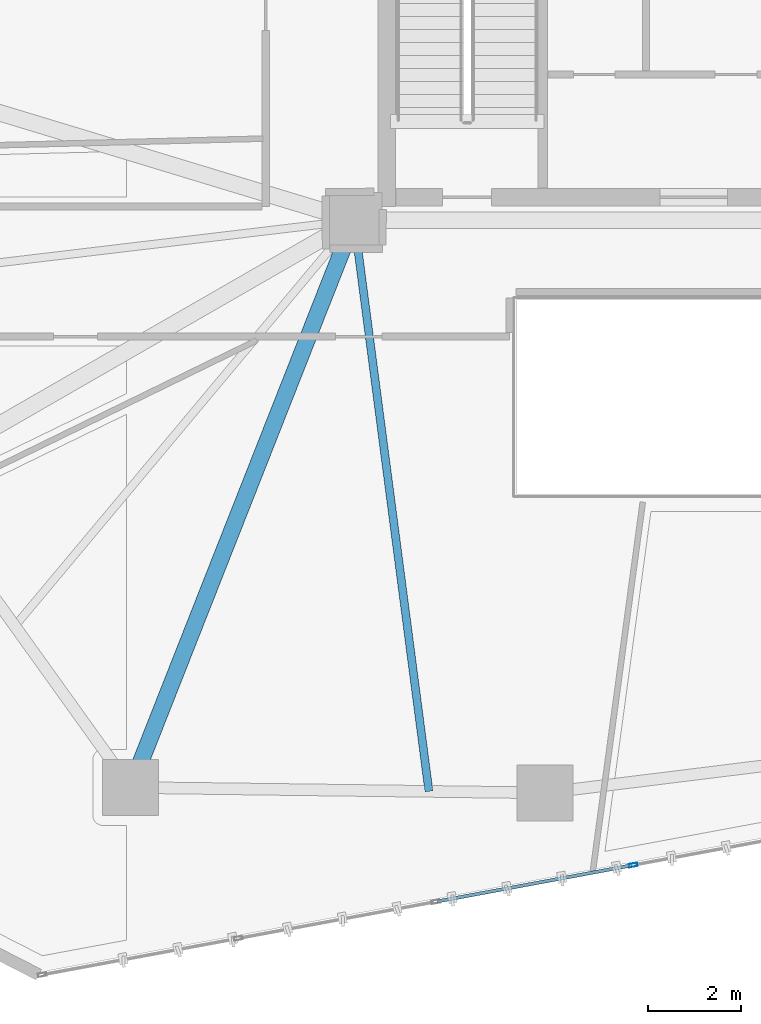
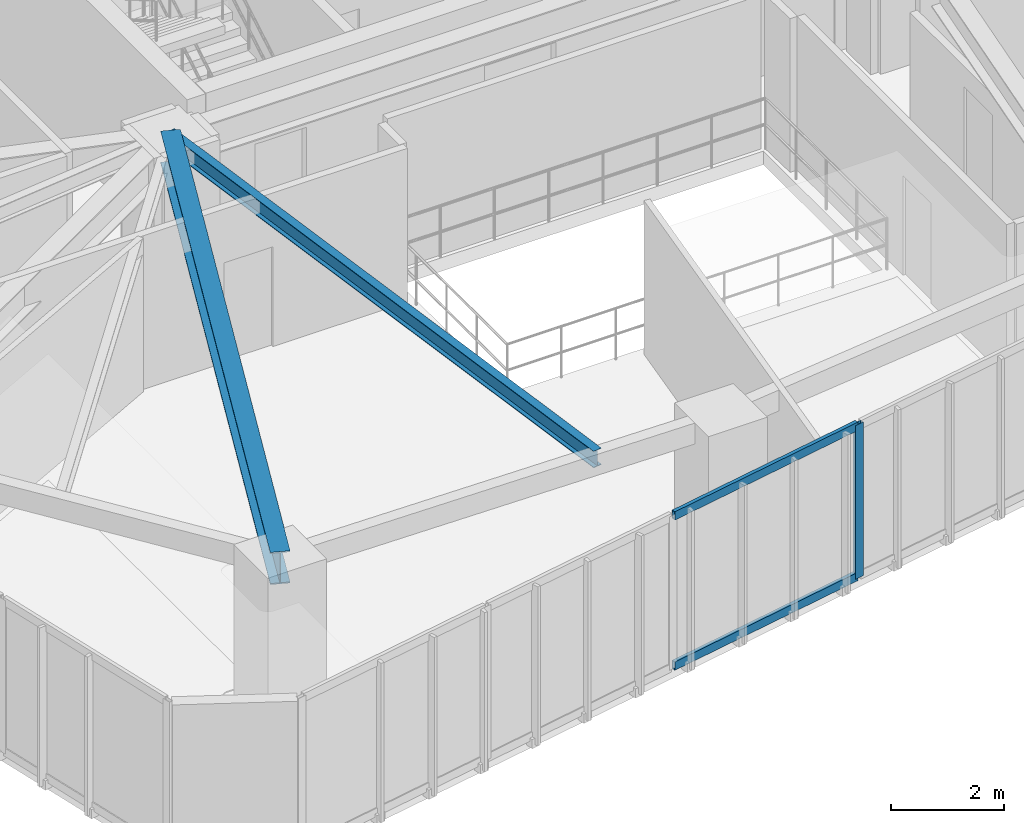
# One storey, part 5 of 22: 3 members, 2 beams, 1 element without a shape of its own.
"""IFC4 building model written with IfcOpenShell, lengths in metres."""

from ifc_helpers import new_model, si_unit, direction, frame, origin, origin_2d, place, context, subcontext, project, spatial, hollow_rectangle, i_section, extrude, source, transform, mapped, material, layer, layer_set, material_profile, profile_set, type_object, type_shapes, element, aggregate, save


model = new_model("IFC4")

# Units and contexts
model_context = context("Model", 3, precision=1e-05, world=origin(), true_north=direction((0.0, 1.0)))
body_context = subcontext(model_context, "Body", "Model", "MODEL_VIEW")
ifc_project = project(units=[si_unit("LENGTHUNIT", "METRE"), si_unit("AREAUNIT", "SQUARE_METRE"), si_unit("VOLUMEUNIT", "CUBIC_METRE"), si_unit("PLANEANGLEUNIT", "RADIAN"), si_unit("MASSUNIT", "GRAM", prefix="KILO")], contexts=[model_context])

# Site, building, storey
site_placement = place(None, origin())
site = spatial("IfcSite", under=ifc_project, at=site_placement, CompositionType="ELEMENT")
building_placement = place(site_placement, origin())
building = spatial("IfcBuilding", under=site, at=building_placement, Name="Talar Marvaseh", CompositionType="ELEMENT")
storey_placement = place(building_placement, frame((0.0, 0.0, 121.800048828125)))
storey = spatial("IfcBuildingStorey", under=building, at=storey_placement, Name="L31", CompositionType="ELEMENT", Elevation=121.800048828125)

# Beams
ifc_material_1 = material(Name="Steel S355", Category="steel")
ifc_material_profile_1 = material_profile(ifc_material_1, i_section(OverallWidth=0.35498046875, OverallDepth=0.695068359375, WebThickness=0.015380859375, FlangeThickness=0.02490234375, at=origin_2d()), Name="W690x217")
ifc_profile_set_1 = profile_set([ifc_material_profile_1], Name="Steel S355")
beam_type_1 = type_object("IfcBeamType", Name="Zone 2 Radial Floor Girder W690x217", PredefinedType="BEAM", material=ifc_profile_set_1)
beam_1_placement = place(storey_placement, frame((13.89111328125, 13.299072265625, 2.96240234375), z_axis=(0.366683712786, 0.930345664136, 0.0), x_axis=(-0.930345664136, 0.366683712786, 0.0)))
element("IfcBeam", 1, at=beam_1_placement, inside=storey, type_object=beam_type_1, Name="L31 Zone 2 Radial Floor Girder W690x217", PredefinedType="BEAM", context=body_context, shape_type="SweptSolid", body=[
    extrude(i_section(OverallWidth=0.35498046875, OverallDepth=0.695068359375, WebThickness=0.015380859375, FlangeThickness=0.02490234375, at=origin_2d()), origin(), (0.0, 0.0, 1.0), 13.114501953125),
])
ifc_material_profile_2 = material_profile(ifc_material_1, i_section(OverallWidth=0.172119140625, OverallDepth=0.35791015625, WebThickness=0.0078125, FlangeThickness=0.01318359375, at=origin_2d()), Name="W360x57")
ifc_profile_set_2 = profile_set([ifc_material_profile_2], Name="Steel S355")
beam_type_2 = type_object("IfcBeamType", Name="Zone 2 Secondary Floor Joist W360x57", PredefinedType="JOIST", material=ifc_profile_set_2)
beam_2_placement = place(storey_placement, frame((20.30908203125, 13.215576171875, 3.130859375), z_axis=(-0.129880008292, 0.991529718892, 0.0), x_axis=(-0.991529718892, -0.129880008292, 0.0)))
element("IfcBeam", 2, at=beam_2_placement, inside=storey, type_object=beam_type_2, Name="L31 Zone 2 Secondary Floor Joist W360x57", PredefinedType="JOIST", context=body_context, shape_type="SweptSolid", body=[
    extrude(i_section(OverallWidth=0.172119140625, OverallDepth=0.35791015625, WebThickness=0.0078125, FlangeThickness=0.01318359375, at=origin_2d()), origin(), (0.0, 0.0, 1.0), 12.389404296875),
])

# Curtain wall, members
ifc_material_2 = material(Name="Architectural Aluminium", Category="aluminium")
ifc_layer = layer(ifc_material_2, 0.199951171875)
ifc_layer_set = layer_set([ifc_layer], Name="Architectural Aluminium")
curtain_wall_type = type_object("IfcCurtainWallType", Name="Unitised Acoustic Library Curtain Wall Z2", PredefinedType="NOTDEFINED", material=ifc_layer_set)
curtain_wall_placement = place(storey_placement, origin())
curtain_wall = element("IfcCurtainWall", 3, at=curtain_wall_placement, inside=storey, type_object=curtain_wall_type, Name="L31 Unitised Acoustic Library Curtain Wall Z2", PredefinedType="NOTDEFINED")
ifc_material_profile_3 = material_profile(ifc_material_2, hollow_rectangle(XDim=0.074951171875, YDim=0.179931640625, WallThickness=0.0048828125, at=origin_2d()), Name="RHS180x75x5")
ifc_profile_set_3 = profile_set([ifc_material_profile_3], Name="Architectural Aluminium")
member_type_1 = type_object("IfcMemberType", Name="Unitised Curtain Wall Standard Mullion RHS180x75x5", PredefinedType="MULLION", material=ifc_profile_set_3)
shared_shape_1 = source(origin(), body_context, "Body", "SweptSolid", [
    extrude(hollow_rectangle(XDim=0.074951171875, YDim=0.179931640625, WallThickness=0.0048828125, at=origin_2d()), origin(), (0.0, 0.0, 1.0), 3.31005859375),
])
type_shapes(member_type_1, [shared_shape_1])
member_1_placement = place(storey_placement, frame((24.70556640625, 11.631103515625, 0.0), z_axis=(0.0, 0.0, 1.0), x_axis=(0.18238841116, -0.983226559586, 0.0)))
member_1 = element("IfcMember", 4, at=member_1_placement, type_object=member_type_1, Name="CW-Z2 mullion 3", PredefinedType="MULLION", context=body_context, shape_type="MappedRepresentation", body=[
    mapped(shared_shape_1, transform((0.0, 0.0, 0.0), x_axis=(1.0, 0.0, 0.0), y_axis=(0.0, 1.0, 0.0), z_axis=(0.0, 0.0, 1.0), scale=1.0)),
])
ifc_material_profile_4 = material_profile(ifc_material_2, hollow_rectangle(XDim=0.074951171875, YDim=0.179931640625, WallThickness=0.0048828125, at=origin_2d()), Name="RHS180x75x5")
ifc_profile_set_4 = profile_set([ifc_material_profile_4], Name="Architectural Aluminium")
member_type_2 = type_object("IfcMemberType", Name="Unitised Curtain Wall Transom RHS180x75x5", PredefinedType="USERDEFINED", material=ifc_profile_set_4)
shared_shape_2 = source(origin(), body_context, "Body", "SweptSolid", [
    extrude(hollow_rectangle(XDim=0.074951171875, YDim=0.179931640625, WallThickness=0.0048828125, at=origin_2d()), origin(), (0.0, 0.0, 1.0), 4.24853515625),
])
type_shapes(member_type_2, [shared_shape_2])
member_2_placement = place(storey_placement, frame((24.668701171875, 11.624267578125, 0.037353515625), z_axis=(-0.983225559844, -0.182393800523, 0.0), x_axis=(0.182393800523, -0.983225559844, 0.0)))
member_2 = element("IfcMember", 5, at=member_2_placement, type_object=member_type_2, Name="CW-Z2 transom 3.1", ObjectType="TRANSOM", PredefinedType="USERDEFINED", context=body_context, shape_type="MappedRepresentation", body=[
    mapped(shared_shape_2, transform((0.0, 0.0, 0.0), x_axis=(1.0, 0.0, 0.0), y_axis=(0.0, 1.0, 0.0), z_axis=(0.0, 0.0, 1.0), scale=1.0)),
])
member_3_placement = place(storey_placement, frame((24.668701171875, 11.624267578125, 3.2724609375), z_axis=(-0.983225559844, -0.182393800523, 0.0), x_axis=(0.182393800523, -0.983225559844, 0.0)))
member_3 = element("IfcMember", 6, at=member_3_placement, type_object=member_type_2, Name="CW-Z2 transom 3.2", ObjectType="TRANSOM", PredefinedType="USERDEFINED", context=body_context, shape_type="MappedRepresentation", body=[
    mapped(shared_shape_2, transform((0.0, 0.0, 0.0), x_axis=(1.0, 0.0, 0.0), y_axis=(0.0, 1.0, 0.0), z_axis=(0.0, 0.0, 1.0), scale=1.0)),
])
aggregate(curtain_wall, [member_1, member_2, member_3])

save(model, "model.ifc")
